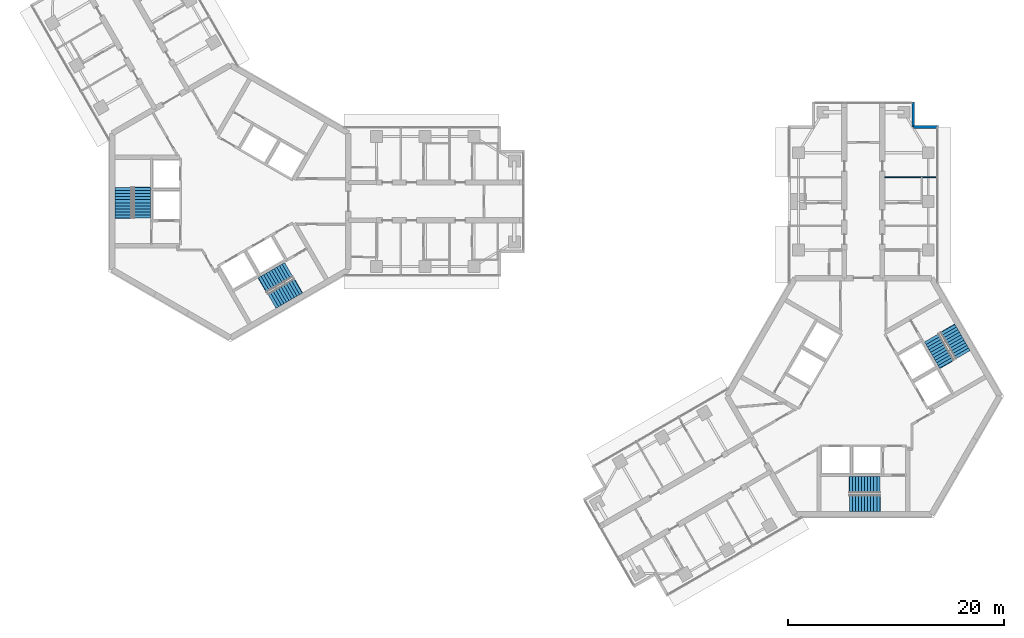
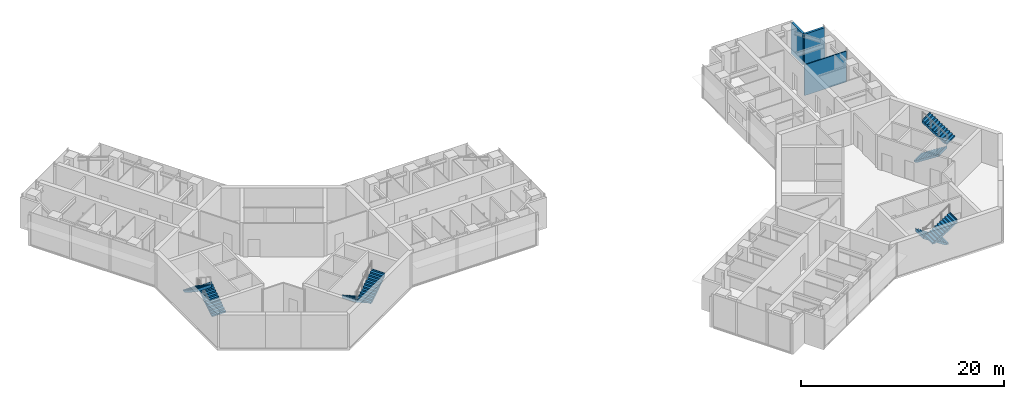
# One storey, part 16 of 17: 8 stair flights, 3 walls, 4 elements without a shape of their own.
"""IFC4 building model written with IfcOpenShell, lengths in metres."""

import ifcopenshell
import ifcopenshell.guid

model = None  # the IFC model being written
_history = None  # IfcOwnerHistory: only IFC2X3 demands one
_inside = {}  # id of a spatial element -> (the spatial element, [elements in it])
_under = {}  # id of a project, library or spatial element -> (it, [spatial elements below it])
_declared = {}  # id of a project -> (the project, [libraries it declares])
_typed = {}  # id of a type object -> (the type object, [elements of that type])
_made_of = {}  # id of a material, layer set ... -> (it, [elements and type objects made of it])


def new_model(schema):
    """Start an empty IFC model of exactly this schema.

    Asked for "IFC4X3", IfcOpenShell would pick the latest addendum, in which some entities
    have other attributes; the version numbers below select the first issue.
    IFC2X3 requires an IfcOwnerHistory on every rooted entity: one is made here for all.
    """
    global model, _history
    if schema == "IFC4X3":
        model = ifcopenshell.file(schema_version=(4, 3, 0, 0))
    else:
        model = ifcopenshell.file(schema=schema)
    _inside.clear()
    _under.clear()
    _declared.clear()
    _typed.clear()
    _made_of.clear()
    _history = None
    if model.schema == "IFC2X3":
        org = make("IfcOrganization", Name="unknown")
        user = make(
            "IfcPersonAndOrganization",
            ThePerson=make("IfcPerson", FamilyName="unknown"),
            TheOrganization=org,
        )
        app = make(
            "IfcApplication",
            ApplicationDeveloper=org,
            Version="unknown",
            ApplicationFullName="unknown",
            ApplicationIdentifier="unknown",
        )
        _history = make(
            "IfcOwnerHistory",
            OwningUser=user,
            OwningApplication=app,
            ChangeAction="ADDED",
            CreationDate=0,
        )
    return model


def make(cls, **values):
    """One entity of the class cls with the attributes given. An attribute that is None is left unset."""
    return model.create_entity(
        cls, **{name: value for name, value in values.items() if value is not None}
    )


def rooted(cls, **values):
    """An entity with a GlobalId (a new one), such as an element, a storey or a relation."""
    return make(cls, GlobalId=ifcopenshell.guid.new(), OwnerHistory=_history, **values)


def si_unit(unit_type, name, prefix=None):
    """IfcSIUnit, for example si_unit("LENGTHUNIT", "METRE", prefix="MILLI")."""
    return make("IfcSIUnit", UnitType=unit_type, Prefix=prefix, Name=name)


def assignment(units):
    """IfcUnitAssignment: the units of a project."""
    return None if units is None else make("IfcUnitAssignment", Units=units)


def point(xyz):
    """IfcCartesianPoint."""
    return None if xyz is None else make("IfcCartesianPoint", Coordinates=xyz)


def direction(xyz):
    """IfcDirection."""
    return None if xyz is None else make("IfcDirection", DirectionRatios=xyz)


def frame(location, z_axis=None, x_axis=None):
    """IfcAxis2Placement3D, a coordinate frame: its origin and axes. An axis left out is left unset."""
    return make(
        "IfcAxis2Placement3D",
        Location=point(location),
        Axis=direction(z_axis),
        RefDirection=direction(x_axis),
    )


def frame_2d(location, x_axis=None):
    """IfcAxis2Placement2D, a coordinate frame in the plane: its origin and x axis."""
    return make(
        "IfcAxis2Placement2D", Location=point(location), RefDirection=direction(x_axis)
    )


def origin():
    """The frame at (0, 0, 0) with its axes left unset."""
    return frame((0.0, 0.0, 0.0))


def place(relative_to, where):
    """IfcLocalPlacement: puts the frame where relative to a parent placement (None: the world)."""
    return make(
        "IfcLocalPlacement", PlacementRelTo=relative_to, RelativePlacement=where
    )


def context(
    kind, dimensions, precision=None, world=None, true_north=None, identifier=None
):
    """IfcGeometricRepresentationContext, for example the 3D "Model" context."""
    return make(
        "IfcGeometricRepresentationContext",
        ContextIdentifier=identifier,
        ContextType=kind,
        CoordinateSpaceDimension=dimensions,
        Precision=precision,
        WorldCoordinateSystem=world,
        TrueNorth=true_north,
    )


def subcontext(parent, identifier, kind, view, scale=None):
    """IfcGeometricRepresentationSubContext, for example "Body" below "Model"."""
    return make(
        "IfcGeometricRepresentationSubContext",
        ContextIdentifier=identifier,
        ContextType=kind,
        ParentContext=parent,
        TargetScale=scale,
        TargetView=view,
    )


def project(units=None, contexts=None):
    """IfcProject with its units and contexts."""
    return rooted(
        "IfcProject",
        Name="project",
        RepresentationContexts=contexts,
        UnitsInContext=assignment(units),
    )


def spatial(cls, under=None, at=None, **own):
    """A site, building, storey or space (cls), placed at a placement, below another one or the project."""
    s = rooted(cls, ObjectPlacement=at, **own)
    if under is not None:
        _under.setdefault(under.id(), (under, []))[1].append(s)
    return s


def polyline(points):
    """IfcPolyline through the points."""
    return make("IfcPolyline", Points=[point(p) for p in points])


def profile(cls, at=None, kind="AREA", **sizes):
    """A parametric profile (cls). Its sizes go by their IFC names, for example OverallWidth=200.0."""
    return make(cls, ProfileType=kind, Position=at, **sizes)


def rectangle(**sizes):
    """IfcRectangleProfileDef."""
    return profile("IfcRectangleProfileDef", **sizes)


def outline(outer, holes=None, kind="AREA"):
    """IfcArbitraryClosedProfileDef: a profile drawn as a closed curve; with holes, ...WithVoids."""
    if holes is None:
        return make("IfcArbitraryClosedProfileDef", ProfileType=kind, OuterCurve=outer)
    return make(
        "IfcArbitraryProfileDefWithVoids",
        ProfileType=kind,
        OuterCurve=outer,
        InnerCurves=holes,
    )


def extrude(swept, where, along, depth):
    """IfcExtrudedAreaSolid: the profile swept, set in the frame where, extruded along a direction by depth."""
    return make(
        "IfcExtrudedAreaSolid",
        SweptArea=swept,
        Position=where,
        ExtrudedDirection=direction(along),
        Depth=depth,
    )


def shape(context_of_items, identifier, shape_type, items):
    """IfcShapeRepresentation: the items that make up one representation, for example the "Body"."""
    return make(
        "IfcShapeRepresentation",
        ContextOfItems=context_of_items,
        RepresentationIdentifier=identifier,
        RepresentationType=shape_type,
        Items=items,
    )


def material(Name=None, Category=None):
    """IfcMaterial."""
    return make("IfcMaterial", Name=Name, Category=Category)


def layer(
    of_material, thickness, ventilated=None, Name=None, Category=None, Priority=None
):
    """IfcMaterialLayer: one layer of a wall or slab, of a material (None: an air gap)."""
    return make(
        "IfcMaterialLayer",
        Material=of_material,
        LayerThickness=thickness,
        IsVentilated=ventilated,
        Name=Name,
        Category=Category,
        Priority=Priority,
    )


def layer_set(layers, Name=None):
    """IfcMaterialLayerSet."""
    return make("IfcMaterialLayerSet", MaterialLayers=layers, LayerSetName=Name)


def made_of(thing, what):
    """Note that an element or type object is made of a material, layer set ...; save() writes the relation."""
    if what is not None:
        _made_of.setdefault(what.id(), (what, []))[1].append(thing)
    return thing


def type_object(cls, material=None, **own):
    """A type object (cls), such as IfcWallType, which elements share."""
    return made_of(rooted(cls, **own), material)


def element(
    cls,
    number,
    at=None,
    inside=None,
    cuts=None,
    type_object=None,
    material=None,
    context=None,
    identifier="Body",
    shape_type=None,
    held_by="IfcProductDefinitionShape",
    body=None,
    shapes=None,
    **own,
):
    """One element of the class cls, such as IfcWall. Its Tag is "e" and its number.

    at: its placement. inside: the storey or other place that contains it. cuts: it is an
    opening in that element (IfcRelVoidsElement). A single representation is given by context,
    identifier, shape_type and body (its items); several are given by shapes. held_by: the class
    of the entity that holds the representations. save() writes the other relations.
    """
    e = rooted(cls, Tag="e%d" % number, ObjectPlacement=at, **own)
    if body is not None:
        shapes = [shape(context, identifier, shape_type, body)]
    if shapes is not None:
        e.Representation = make(held_by, Representations=shapes)
    if inside is not None:
        _inside.setdefault(inside.id(), (inside, []))[1].append(e)
    if cuts is not None:
        rooted(
            "IfcRelVoidsElement", RelatingBuildingElement=cuts, RelatedOpeningElement=e
        )
    if type_object is not None:
        _typed.setdefault(type_object.id(), (type_object, []))[1].append(e)
    return made_of(e, material)


def aggregate(whole, parts):
    """IfcRelAggregates: a whole, such as a stair, and the parts it consists of."""
    return rooted("IfcRelAggregates", RelatingObject=whole, RelatedObjects=parts)


def save(model, path):
    """Write the relations noted so far, then the file.

    IfcRelAggregates (storeys below a building ...), IfcRelContainedInSpatialStructure (elements
    in a storey), IfcRelDefinesByType, IfcRelAssociatesMaterial and IfcRelDeclares: one each for
    every whole, place, type object, material and project.
    """
    for whole, parts in _under.values():
        aggregate(whole, parts)
    for where, things in _inside.values():
        rooted(
            "IfcRelContainedInSpatialStructure",
            RelatedElements=things,
            RelatingStructure=where,
        )
    for kind, things in _typed.values():
        rooted("IfcRelDefinesByType", RelatedObjects=things, RelatingType=kind)
    for what, things in _made_of.values():
        rooted("IfcRelAssociatesMaterial", RelatedObjects=things, RelatingMaterial=what)
    for by, libraries in _declared.values():
        rooted("IfcRelDeclares", RelatingContext=by, RelatedDefinitions=libraries)
    model.write(path)


model = new_model("IFC4")

# Units and contexts
model_context = context("Model", 3, precision=1e-05, world=origin(), true_north=direction((0.0, 1.0)))
body_context = subcontext(model_context, "Body", "Model", "MODEL_VIEW")
ifc_project = project(units=[si_unit("LENGTHUNIT", "METRE"), si_unit("AREAUNIT", "SQUARE_METRE"), si_unit("VOLUMEUNIT", "CUBIC_METRE"), si_unit("PLANEANGLEUNIT", "RADIAN"), si_unit("MASSUNIT", "GRAM", prefix="KILO")], contexts=[model_context])

# Site, building, storey
site_placement = place(None, origin())
site = spatial("IfcSite", under=ifc_project, at=site_placement, CompositionType="ELEMENT")
building_placement = place(site_placement, origin())
building = spatial("IfcBuilding", under=site, at=building_placement, Name="Upepo Twin Towers", CompositionType="ELEMENT")
storey_placement = place(building_placement, frame((0.0, 0.0, 234.5)))
storey = spatial("IfcBuildingStorey", under=building, at=storey_placement, Name="L57", CompositionType="ELEMENT", Elevation=234.5)

# Walls
ifc_material_1 = material(Name="Blockwork with anodised aluminium cladding", Category="masonry")
ifc_layer_1 = layer(ifc_material_1, 0.25)
ifc_layer_set_1 = layer_set([ifc_layer_1], Name="Notch cladding wall 250, pale metal")
wall_type_1 = type_object("IfcWallType", Name="Notch cladding wall 250, pale metal", PredefinedType="STANDARD", material=ifc_layer_set_1)
for number, where, z_axis, x_axis, name in (
    (1, (65.449951171875, 6.875, 0.0), (0.0, 0.0, 1.0), (-1.0, 0.0, 0.0), "T2 L57 wing A notch wall R1"),
    (2, (63.125, 6.875, 0.0), (0.0, 0.0, 1.0), (0.0, 1.0, 0.0), "T2 L57 wing A notch wall R2"),
):
    element("IfcWall", number, at=place(storey_placement, frame(where, z_axis=z_axis, x_axis=x_axis)), inside=storey, type_object=wall_type_1, Name=name, PredefinedType="STANDARD", context=body_context, shape_type="SweptSolid", body=[
        extrude(rectangle(XDim=2.324951171875, YDim=0.25, at=frame_2d((1.16259765625, 0.0))), origin(), (0.0, 0.0, 1.0), 3.699951171875),
    ])
ifc_material_2 = material(Name="Gypsum board on steel studs", Category="steel")
ifc_layer_2 = layer(ifc_material_2, 0.10009765625)
ifc_layer_set_2 = layer_set([ifc_layer_2], Name="Office partition 100 stud")
wall_type_2 = type_object("IfcWallType", Name="Office partition 100 stud", PredefinedType="PARTITIONING", material=ifc_layer_set_2)
wall_placement = place(storey_placement, frame((60.5, 2.25, 0.0), z_axis=(0.0, 0.0, 1.0), x_axis=(1.0, 0.0, 0.0)))
element("IfcWall", 3, at=wall_placement, inside=storey, type_object=wall_type_2, Name="T2 partition AR at 20.25", PredefinedType="PARTITIONING", context=body_context, shape_type="SweptSolid", body=[
    extrude(rectangle(XDim=4.75, YDim=0.10009765625, at=frame_2d((2.375, 0.0))), origin(), (0.0, 0.0, 1.0), 3.699951171875),
])

# Stair, stair flights
ifc_material_3 = material(Name="Concrete C40/50", Category="concrete")
stair_type = type_object("IfcStairType", Name="Core stair, two flights", PredefinedType="HALF_TURN_STAIR", material=ifc_material_3)
stair_1_placement = place(storey_placement, origin())
stair_1 = element("IfcStair", 4, at=stair_1_placement, inside=storey, type_object=stair_type, Name="T1 stair S1 L57", PredefinedType="HALF_TURN_STAIR")
ifc_material_4 = material(Name="Concrete C40/50", Category="concrete")
stair_flight_type = type_object("IfcStairFlightType", Name="Stair flight 1550 RC", PredefinedType="STRAIGHT", material=ifc_material_4)
stair_flight_1_placement = place(storey_placement, frame((-8.175048828125, -1.52001953125, 0.0), z_axis=(0.0, 0.0, 1.0), x_axis=(0.0, 1.0, 0.0)))
stair_flight_1 = element("IfcStairFlight", 5, at=stair_flight_1_placement, type_object=stair_flight_type, Name="Stair S1 flight 1", NumberOfRisers=11, NumberOfTreads=10, PredefinedType="STRAIGHT", RiserHeight=0.181818182, TreadLength=0.28, context=body_context, shape_type="SweptSolid", body=[
    extrude(outline(polyline([(0.0, 0.0), (0.0, 0.181884765625), (0.280029296875, 0.181884765625), (0.280029296875, 0.363525390625), (0.56005859375, 0.363525390625), (0.56005859375, 0.54541015625), (0.840087890625, 0.54541015625), (0.840087890625, 0.727294921875), (1.1201171875, 0.727294921875), (1.1201171875, 0.9091796875), (1.39990234375, 0.9091796875), (1.39990234375, 1.0908203125), (1.679931640625, 1.0908203125), (1.679931640625, 1.272705078125), (1.9599609375, 1.272705078125), (1.9599609375, 1.45458984375), (2.239990234375, 1.45458984375), (2.239990234375, 1.636474609375), (2.52001953125, 1.636474609375), (2.52001953125, 1.818115234375), (2.800048828125, 1.818115234375), (2.800048828125, 2.0), (2.85009765625, 2.0), (2.85009765625, 1.639404296875), (0.3251953125, 0.0), (0.0, 0.0)])), frame((0.0, 0.77490234375, 0.0), z_axis=(0.0, -1.0, 0.0), x_axis=(1.0, 0.0, 0.0)), (0.0, 0.0, 1.0), 1.550048828125),
])
stair_flight_2_placement = place(storey_placement, frame((-9.88330078125, 1.280029296875, 2.0), z_axis=(0.0, 0.0, 1.0), x_axis=(0.0, -1.0, 0.0)))
stair_flight_2 = element("IfcStairFlight", 6, at=stair_flight_2_placement, type_object=stair_flight_type, Name="Stair S1 flight 2", NumberOfRisers=11, NumberOfTreads=10, PredefinedType="STRAIGHT", RiserHeight=0.181818182, TreadLength=0.28, context=body_context, shape_type="SweptSolid", body=[
    extrude(outline(polyline([(0.0, 0.0), (0.0, 0.181884765625), (0.280029296875, 0.181884765625), (0.280029296875, 0.363525390625), (0.56005859375, 0.363525390625), (0.56005859375, 0.54541015625), (0.840087890625, 0.54541015625), (0.840087890625, 0.727294921875), (1.1201171875, 0.727294921875), (1.1201171875, 0.9091796875), (1.39990234375, 0.9091796875), (1.39990234375, 1.0908203125), (1.679931640625, 1.0908203125), (1.679931640625, 1.272705078125), (1.9599609375, 1.272705078125), (1.9599609375, 1.45458984375), (2.239990234375, 1.45458984375), (2.239990234375, 1.636474609375), (2.52001953125, 1.636474609375), (2.52001953125, 1.818115234375), (2.800048828125, 1.818115234375), (2.800048828125, 2.0), (2.85009765625, 2.0), (2.85009765625, 1.639404296875), (0.3251953125, 0.0), (0.0, 0.0)])), frame((0.0, 0.77490234375, 0.0), z_axis=(0.0, -1.0, 0.0), x_axis=(1.0, 0.0, 0.0)), (0.0, 0.0, 1.0), 1.550048828125),
])
aggregate(stair_1, [stair_flight_1, stair_flight_2])

stair_2_placement = place(storey_placement, origin())
stair_2 = element("IfcStair", 7, at=stair_2_placement, inside=storey, type_object=stair_type, Name="T1 stair S2 L57", PredefinedType="HALF_TURN_STAIR")
stair_flight_3_placement = place(storey_placement, frame((5.40380859375, -6.31982421875, 0.0), z_axis=(0.0, 0.0, 1.0), x_axis=(-0.866025403784, -0.5, 0.0)))
stair_flight_3 = element("IfcStairFlight", 8, at=stair_flight_3_placement, type_object=stair_flight_type, Name="Stair S2 flight 1", NumberOfRisers=11, NumberOfTreads=10, PredefinedType="STRAIGHT", RiserHeight=0.181818182, TreadLength=0.28, context=body_context, shape_type="SweptSolid", body=[
    extrude(outline(polyline([(0.0, 0.0), (0.0, 0.181884765625), (0.280029296875, 0.181884765625), (0.280029296875, 0.363525390625), (0.56005859375, 0.363525390625), (0.56005859375, 0.54541015625), (0.840087890625, 0.54541015625), (0.840087890625, 0.727294921875), (1.1201171875, 0.727294921875), (1.1201171875, 0.9091796875), (1.39990234375, 0.9091796875), (1.39990234375, 1.0908203125), (1.679931640625, 1.0908203125), (1.679931640625, 1.272705078125), (1.9599609375, 1.272705078125), (1.9599609375, 1.45458984375), (2.239990234375, 1.45458984375), (2.239990234375, 1.636474609375), (2.52001953125, 1.636474609375), (2.52001953125, 1.818115234375), (2.800048828125, 1.818115234375), (2.800048828125, 2.0), (2.85009765625, 2.0), (2.85009765625, 1.639404296875), (0.3251953125, 0.0), (0.0, 0.0)])), frame((0.0, 0.77490234375, 0.0), z_axis=(0.0, -1.0, 0.0), x_axis=(1.0, 0.0, 0.0)), (0.0, 0.0, 1.0), 1.550048828125),
])
stair_flight_4_placement = place(storey_placement, frame((3.833251953125, -9.19921875, 2.0), z_axis=(0.0, 0.0, 1.0), x_axis=(0.866025403784, 0.5, 0.0)))
stair_flight_4 = element("IfcStairFlight", 9, at=stair_flight_4_placement, type_object=stair_flight_type, Name="Stair S2 flight 2", NumberOfRisers=11, NumberOfTreads=10, PredefinedType="STRAIGHT", RiserHeight=0.181818182, TreadLength=0.28, context=body_context, shape_type="SweptSolid", body=[
    extrude(outline(polyline([(0.0, 0.0), (0.0, 0.181884765625), (0.280029296875, 0.181884765625), (0.280029296875, 0.363525390625), (0.56005859375, 0.363525390625), (0.56005859375, 0.54541015625), (0.840087890625, 0.54541015625), (0.840087890625, 0.727294921875), (1.1201171875, 0.727294921875), (1.1201171875, 0.9091796875), (1.39990234375, 0.9091796875), (1.39990234375, 1.0908203125), (1.679931640625, 1.0908203125), (1.679931640625, 1.272705078125), (1.9599609375, 1.272705078125), (1.9599609375, 1.45458984375), (2.239990234375, 1.45458984375), (2.239990234375, 1.636474609375), (2.52001953125, 1.636474609375), (2.52001953125, 1.818115234375), (2.800048828125, 1.818115234375), (2.800048828125, 2.0), (2.85009765625, 2.0), (2.85009765625, 1.639404296875), (0.3251953125, 0.0), (0.0, 0.0)])), frame((0.0, 0.77490234375, 0.0), z_axis=(0.0, -1.0, 0.0), x_axis=(1.0, 0.0, 0.0)), (0.0, 0.0, 1.0), 1.550048828125),
])
aggregate(stair_2, [stair_flight_3, stair_flight_4])

stair_3_placement = place(storey_placement, origin())
stair_3 = element("IfcStair", 10, at=stair_3_placement, inside=storey, type_object=stair_type, Name="T2 stair S1 L57", PredefinedType="HALF_TURN_STAIR")
stair_flight_5_placement = place(storey_placement, frame((60.02001953125, -26.175048828125, 0.0), z_axis=(0.0, 0.0, 1.0), x_axis=(-1.0, 0.0, 0.0)))
stair_flight_5 = element("IfcStairFlight", 11, at=stair_flight_5_placement, type_object=stair_flight_type, Name="Stair S1 flight 1", NumberOfRisers=11, NumberOfTreads=10, PredefinedType="STRAIGHT", RiserHeight=0.181818182, TreadLength=0.28, context=body_context, shape_type="SweptSolid", body=[
    extrude(outline(polyline([(0.0, 0.0), (0.0, 0.181884765625), (0.280029296875, 0.181884765625), (0.280029296875, 0.363525390625), (0.56005859375, 0.363525390625), (0.56005859375, 0.54541015625), (0.840087890625, 0.54541015625), (0.840087890625, 0.727294921875), (1.1201171875, 0.727294921875), (1.1201171875, 0.9091796875), (1.39990234375, 0.9091796875), (1.39990234375, 1.0908203125), (1.679931640625, 1.0908203125), (1.679931640625, 1.272705078125), (1.9599609375, 1.272705078125), (1.9599609375, 1.45458984375), (2.239990234375, 1.45458984375), (2.239990234375, 1.636474609375), (2.52001953125, 1.636474609375), (2.52001953125, 1.818115234375), (2.800048828125, 1.818115234375), (2.800048828125, 2.0), (2.85009765625, 2.0), (2.85009765625, 1.639404296875), (0.3251953125, 0.0), (0.0, 0.0)])), frame((0.0, 0.77490234375, 0.0), z_axis=(0.0, -1.0, 0.0), x_axis=(1.0, 0.0, 0.0)), (0.0, 0.0, 1.0), 1.550048828125),
])
stair_flight_6_placement = place(storey_placement, frame((57.219970703125, -27.88330078125, 2.0), z_axis=(0.0, 0.0, 1.0), x_axis=(1.0, 0.0, 0.0)))
stair_flight_6 = element("IfcStairFlight", 12, at=stair_flight_6_placement, type_object=stair_flight_type, Name="Stair S1 flight 2", NumberOfRisers=11, NumberOfTreads=10, PredefinedType="STRAIGHT", RiserHeight=0.181818182, TreadLength=0.28, context=body_context, shape_type="SweptSolid", body=[
    extrude(outline(polyline([(0.0, 0.0), (0.0, 0.181884765625), (0.280029296875, 0.181884765625), (0.280029296875, 0.363525390625), (0.56005859375, 0.363525390625), (0.56005859375, 0.54541015625), (0.840087890625, 0.54541015625), (0.840087890625, 0.727294921875), (1.1201171875, 0.727294921875), (1.1201171875, 0.9091796875), (1.39990234375, 0.9091796875), (1.39990234375, 1.0908203125), (1.679931640625, 1.0908203125), (1.679931640625, 1.272705078125), (1.9599609375, 1.272705078125), (1.9599609375, 1.45458984375), (2.239990234375, 1.45458984375), (2.239990234375, 1.636474609375), (2.52001953125, 1.636474609375), (2.52001953125, 1.818115234375), (2.800048828125, 1.818115234375), (2.800048828125, 2.0), (2.85009765625, 2.0), (2.85009765625, 1.639404296875), (0.3251953125, 0.0), (0.0, 0.0)])), frame((0.0, 0.77490234375, 0.0), z_axis=(0.0, -1.0, 0.0), x_axis=(1.0, 0.0, 0.0)), (0.0, 0.0, 1.0), 1.550048828125),
])
aggregate(stair_3, [stair_flight_5, stair_flight_6])

stair_4_placement = place(storey_placement, origin())
stair_4 = element("IfcStair", 13, at=stair_4_placement, inside=storey, type_object=stair_type, Name="T2 stair S2 L57", PredefinedType="HALF_TURN_STAIR")
stair_flight_7_placement = place(storey_placement, frame((64.81982421875, -12.59619140625, 0.0), z_axis=(0.0, 0.0, 1.0), x_axis=(0.5, -0.866025403784, 0.0)))
stair_flight_7 = element("IfcStairFlight", 14, at=stair_flight_7_placement, type_object=stair_flight_type, Name="Stair S2 flight 1", NumberOfRisers=11, NumberOfTreads=10, PredefinedType="STRAIGHT", RiserHeight=0.181818182, TreadLength=0.28, context=body_context, shape_type="SweptSolid", body=[
    extrude(outline(polyline([(0.0, 0.0), (0.0, 0.181884765625), (0.280029296875, 0.181884765625), (0.280029296875, 0.363525390625), (0.56005859375, 0.363525390625), (0.56005859375, 0.54541015625), (0.840087890625, 0.54541015625), (0.840087890625, 0.727294921875), (1.1201171875, 0.727294921875), (1.1201171875, 0.9091796875), (1.39990234375, 0.9091796875), (1.39990234375, 1.0908203125), (1.679931640625, 1.0908203125), (1.679931640625, 1.272705078125), (1.9599609375, 1.272705078125), (1.9599609375, 1.45458984375), (2.239990234375, 1.45458984375), (2.239990234375, 1.636474609375), (2.52001953125, 1.636474609375), (2.52001953125, 1.818115234375), (2.800048828125, 1.818115234375), (2.800048828125, 2.0), (2.85009765625, 2.0), (2.85009765625, 1.639404296875), (0.3251953125, 0.0), (0.0, 0.0)])), frame((0.0, 0.77490234375, 0.0), z_axis=(0.0, -1.0, 0.0), x_axis=(1.0, 0.0, 0.0)), (0.0, 0.0, 1.0), 1.550048828125),
])
stair_flight_8_placement = place(storey_placement, frame((67.69921875, -14.166748046875, 2.0), z_axis=(0.0, 0.0, 1.0), x_axis=(-0.5, 0.866025403784, 0.0)))
stair_flight_8 = element("IfcStairFlight", 15, at=stair_flight_8_placement, type_object=stair_flight_type, Name="Stair S2 flight 2", NumberOfRisers=11, NumberOfTreads=10, PredefinedType="STRAIGHT", RiserHeight=0.181818182, TreadLength=0.28, context=body_context, shape_type="SweptSolid", body=[
    extrude(outline(polyline([(0.0, 0.0), (0.0, 0.181884765625), (0.280029296875, 0.181884765625), (0.280029296875, 0.363525390625), (0.56005859375, 0.363525390625), (0.56005859375, 0.54541015625), (0.840087890625, 0.54541015625), (0.840087890625, 0.727294921875), (1.1201171875, 0.727294921875), (1.1201171875, 0.9091796875), (1.39990234375, 0.9091796875), (1.39990234375, 1.0908203125), (1.679931640625, 1.0908203125), (1.679931640625, 1.272705078125), (1.9599609375, 1.272705078125), (1.9599609375, 1.45458984375), (2.239990234375, 1.45458984375), (2.239990234375, 1.636474609375), (2.52001953125, 1.636474609375), (2.52001953125, 1.818115234375), (2.800048828125, 1.818115234375), (2.800048828125, 2.0), (2.85009765625, 2.0), (2.85009765625, 1.639404296875), (0.3251953125, 0.0), (0.0, 0.0)])), frame((0.0, 0.77490234375, 0.0), z_axis=(0.0, -1.0, 0.0), x_axis=(1.0, 0.0, 0.0)), (0.0, 0.0, 1.0), 1.550048828125),
])
aggregate(stair_4, [stair_flight_7, stair_flight_8])

save(model, "model.ifc")
